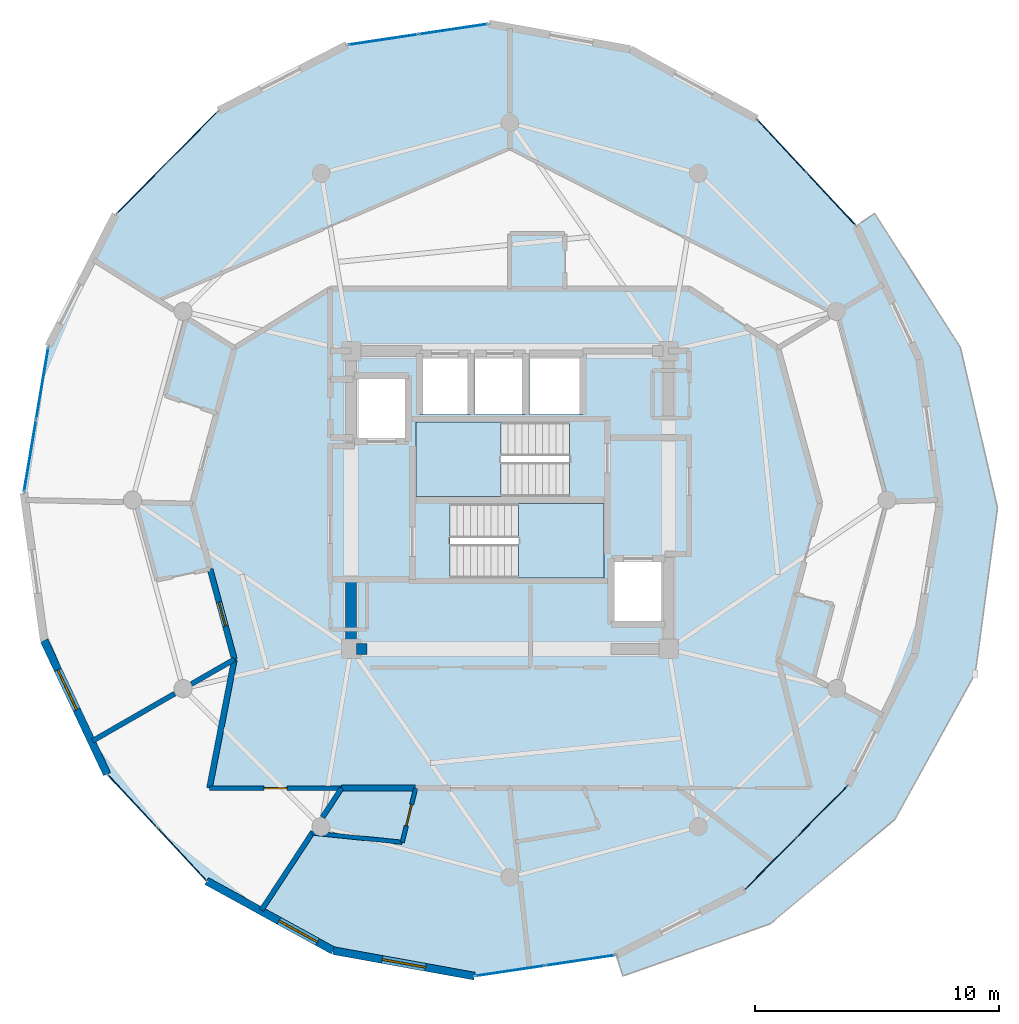
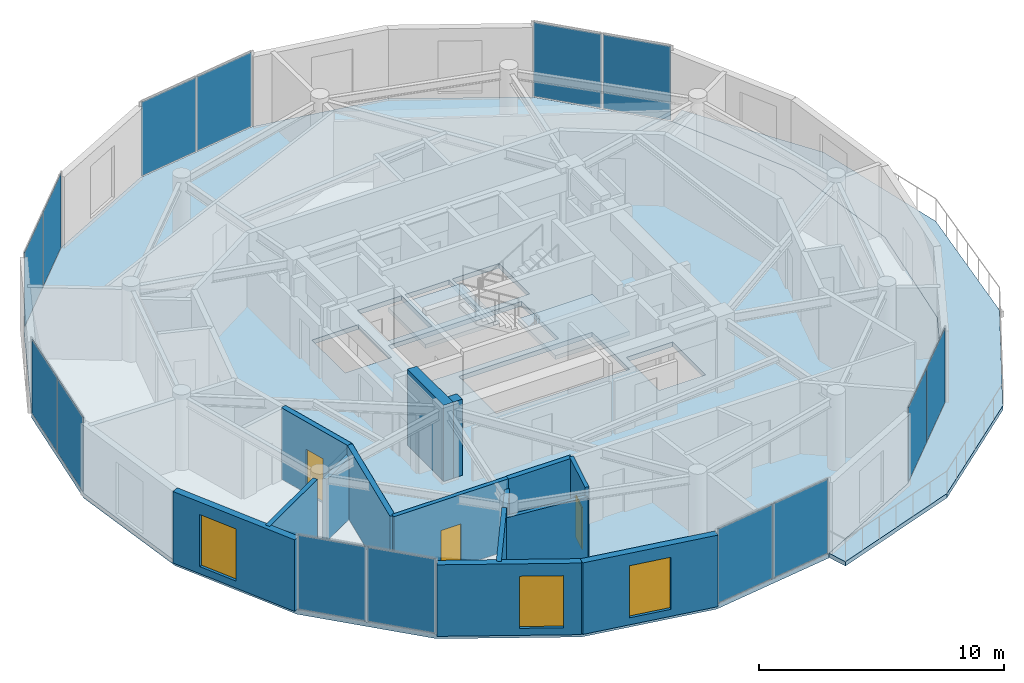
# One storey, part 17 of 23: 15 walls, 14 plates, 4 slabs, 3 doors, 3 windows, 6 openings, 9 elements without a shape of their own.
"""IFC4 building model written with IfcOpenShell, lengths in metres."""

from ifc_helpers import new_model, si_unit, direction, frame, frame_2d, origin, origin_2d, place, context, subcontext, project, spatial, polyline, rectangle, outline, extrude, source, transform, mapped, material, layer, layer_set, type_object, element, fill, aggregate, save


model = new_model("IFC4")

# Units and contexts
model_context = context("Model", 3, precision=1e-05, world=origin(), true_north=direction((0.0, 1.0)))
body_context = subcontext(model_context, "Body", "Model", "MODEL_VIEW")
ifc_project = project(units=[si_unit("LENGTHUNIT", "METRE"), si_unit("AREAUNIT", "SQUARE_METRE"), si_unit("VOLUMEUNIT", "CUBIC_METRE"), si_unit("PLANEANGLEUNIT", "RADIAN"), si_unit("MASSUNIT", "GRAM", prefix="KILO")], contexts=[model_context])

# Site, building, storey
site_placement = place(None, origin())
site = spatial("IfcSite", under=ifc_project, at=site_placement, CompositionType="ELEMENT")
building_placement = place(site_placement, origin())
building = spatial("IfcBuilding", under=site, at=building_placement, Name="Solvirekh Grand Hotel", CompositionType="ELEMENT")
storey_placement = place(building_placement, frame((0.0, 0.0, 282.0)))
storey = spatial("IfcBuildingStorey", under=building, at=storey_placement, Name="L73", CompositionType="ELEMENT", Elevation=282.0)

# Slab
ifc_material_1 = material(Name="Concrete C50/60", Category="concrete")
ifc_layer_1 = layer(ifc_material_1, 0.215087890625)
ifc_layer_set_1 = layer_set([ifc_layer_1], Name="Concrete C50/60")
slab_type_1 = type_object("IfcSlabType", Name="ExtCrescentBalc_215", PredefinedType="FLOOR", material=ifc_layer_set_1)
slab_1_placement = place(storey_placement, frame((0.0, 0.0, -0.215087890625)))
element("IfcSlab", 1, at=slab_1_placement, inside=storey, type_object=slab_type_1, Name="L73 sweeping crescent balcony slab", PredefinedType="FLOOR", context=body_context, shape_type="SweptSolid", body=[
    extrude(outline(polyline([(4.634033203125, -19.489013671875), (10.660888671875, -17.35595703125), (15.764892578125, -13.08203125), (19.056884765625, -7.112060546875), (19.969970703125, -0.323974609375), (18.450927734375, 6.2470703125), (14.93896484375, 11.73193359375), (14.193115234375, 11.22705078125), (16.77294921875, 5.7509765625), (17.597900390625, -0.2880859375), (16.587890625, -6.299072265625), (13.841064453125, -11.693115234375), (9.626953125, -15.943115234375), (4.35888671875, -18.632080078125), (4.634033203125, -19.489013671875)])), origin(), (0.0, 0.0, 1.0), 0.215087890625),
])

# Stair, slab
ifc_material_2 = material(Name="Concrete C40/50", Category="concrete")
stair_type = type_object("IfcStairType", Name="Stair_Core_1450", PredefinedType="HALF_TURN_STAIR", material=ifc_material_2)
stair_1_placement = place(storey_placement, origin())
stair_1 = element("IfcStair", 2, at=stair_1_placement, inside=storey, type_object=stair_type, Name="L73 Enclosed exit stair ST-1", PredefinedType="HALF_TURN_STAIR")
ifc_layer_2 = layer(ifc_material_2, 0.199951171875)
ifc_layer_set_2 = layer_set([ifc_layer_2], Name="Concrete C40/50")
slab_type_2 = type_object("IfcSlabType", Name="Landing_Stair_200", PredefinedType="LANDING", material=ifc_layer_set_2)
slab_2_placement = place(storey_placement, frame((0.0, 0.0, 1.699951171875)))
slab_2 = element("IfcSlab", 3, at=slab_2_placement, type_object=slab_type_2, Name="ST-1 landing 1", PredefinedType="LANDING", context=body_context, shape_type="SweptSolid", body=[
    extrude(outline(polyline([(0.35009765625, -3.199951171875), (3.85009765625, -3.199951171875), (3.85009765625, -0.14990234375), (0.35009765625, -0.14990234375), (0.35009765625, -3.199951171875)])), origin(), (0.0, 0.0, 1.0), 0.199951171875),
])
aggregate(stair_1, [slab_2])

stair_2_placement = place(storey_placement, origin())
stair_2 = element("IfcStair", 4, at=stair_2_placement, inside=storey, type_object=stair_type, Name="L73 Enclosed exit stair ST-2", PredefinedType="HALF_TURN_STAIR")
slab_3_placement = place(storey_placement, frame((0.0, 0.0, 1.699951171875)))
slab_3 = element("IfcSlab", 5, at=slab_3_placement, type_object=slab_type_2, Name="ST-2 landing 1", PredefinedType="LANDING", context=body_context, shape_type="SweptSolid", body=[
    extrude(outline(polyline([(-0.35009765625, 3.199951171875), (-3.85009765625, 3.199951171875), (-3.85009765625, 0.14990234375), (-0.35009765625, 0.14990234375), (-0.35009765625, 3.199951171875)])), origin(), (0.0, 0.0, 1.0), 0.199951171875),
])
aggregate(stair_2, [slab_3])

# Slab
ifc_layer_3 = layer(ifc_material_2, 0.22998046875)
ifc_layer_set_3 = layer_set([ifc_layer_3], Name="Concrete C40/50")
slab_type_3 = type_object("IfcSlabType", Name="Slab_GuestZ4_230", PredefinedType="FLOOR", material=ifc_layer_set_3)
slab_4_placement = place(storey_placement, frame((0.0, 0.0, -0.22998046875)))
element("IfcSlab", 6, at=slab_4_placement, inside=storey, type_object=slab_type_3, Name="L73 structural floor slab", PredefinedType="FLOOR", context=body_context, shape_type="SweptSolid", body=[
    extrude(outline(polyline([(-1.448974609375, -19.498046875), (4.35888671875, -18.632080078125), (9.626953125, -15.943115234375), (13.841064453125, -11.693115234375), (16.587890625, -6.299072265625), (17.597900390625, -0.2880859375), (16.77294921875, 5.7509765625), (14.193115234375, 11.22705078125), (10.112060546875, 15.60498046875), (4.927978515625, 18.4541015625), (-0.85107421875, 19.498046875), (-6.658935546875, 18.632080078125), (-11.927001953125, 15.943115234375), (-16.14111328125, 11.693115234375), (-18.887939453125, 6.299072265625), (-19.89794921875, 0.2880859375), (-19.072998046875, -5.7509765625), (-16.492919921875, -11.22705078125), (-12.412109375, -15.60498046875), (-7.22802734375, -18.4541015625), (-1.448974609375, -19.498046875)]), holes=[polyline([(-2.444091796875, -0.14990234375), (3.85009765625, -0.14990234375), (3.85009765625, -3.199951171875), (-2.444091796875, -3.199951171875), (-2.444091796875, -0.14990234375)]), polyline([(2.444091796875, 0.14990234375), (-3.85009765625, 0.14990234375), (-3.85009765625, 3.199951171875), (2.444091796875, 3.199951171875), (2.444091796875, 0.14990234375)]), polyline([(-3.699951171875, 6.0), (-1.60009765625, 6.0), (-1.60009765625, 3.5), (-3.699951171875, 3.5), (-3.699951171875, 6.0)]), polyline([(-1.449951171875, 6.0), (0.64990234375, 6.0), (0.64990234375, 3.5), (-1.449951171875, 3.5), (-1.449951171875, 6.0)]), polyline([(0.800048828125, 6.0), (3.0, 6.0), (3.0, 3.5), (0.800048828125, 3.5), (0.800048828125, 6.0)]), polyline([(-6.35009765625, 5.10009765625), (-4.14990234375, 5.10009765625), (-4.14990234375, 2.39990234375), (-6.35009765625, 2.39990234375), (-6.35009765625, 5.10009765625)]), polyline([(4.14990234375, -2.39990234375), (6.35009765625, -2.39990234375), (6.35009765625, -5.10009765625), (4.14990234375, -5.10009765625), (4.14990234375, -2.39990234375)])]), origin(), (0.0, 0.0, 1.0), 0.22998046875),
])

# Curtain wall, plates
ifc_material_3 = material(Name="Anodized Bronze Aluminium 6063-T6", Category="aluminium")
ifc_layer_4 = layer(ifc_material_3, 0.159912109375)
ifc_layer_set_4 = layer_set([ifc_layer_4], Name="Anodized Bronze Aluminium 6063-T6")
curtain_wall_type = type_object("IfcCurtainWallType", Name="CW_Sys4_HighZoneFlushBronzeCW", PredefinedType="NOTDEFINED", material=ifc_layer_set_4)
curtain_wall_1_placement = place(storey_placement, origin())
curtain_wall_1 = element("IfcCurtainWall", 7, at=curtain_wall_1_placement, inside=storey, type_object=curtain_wall_type, Name="L73 unitised bronze-glass curtain wall CW-L73-C03", PredefinedType="NOTDEFINED")
ifc_material_4 = material(Name="Low-E Tinted Bronze Laminated Glass", Category="aluminium")
ifc_layer_5 = layer(ifc_material_4, 0.033935546875)
ifc_layer_set_5 = layer_set([ifc_layer_5], Name="Low-E Tinted Bronze Laminated Glass")
plate_type = type_object("IfcPlateType", Name="CWPanel_High_34", PredefinedType="CURTAIN_PANEL", material=ifc_layer_set_5)
shared_shape_1 = source(origin(), body_context, "Body", "SweptSolid", [
    extrude(rectangle(XDim=2.902587890625, YDim=0.033935546875, at=origin_2d()), origin(), (0.0, 0.0, 1.0), 3.68994140625),
])
plate_1_placement = place(storey_placement, frame((10.691162109375, -14.869873046875, 0.054931640625), z_axis=(0.0, 0.0, 1.0), x_axis=(0.704092869456, 0.710107901084, 0.0)))
plate_1 = element("IfcPlate", 8, at=plate_1_placement, type_object=plate_type, Name="U04 panel 1.1", PredefinedType="CURTAIN_PANEL", context=body_context, shape_type="MappedRepresentation", body=[
    mapped(shared_shape_1, transform((0.0, 0.0, 0.0), x_axis=(1.0, 0.0, 0.0), y_axis=(0.0, 1.0, 0.0), z_axis=(0.0, 0.0, 1.0), scale=1.0)),
])
plate_2_placement = place(storey_placement, frame((12.77685546875, -12.76611328125, 0.054931640625), z_axis=(0.0, 0.0, 1.0), x_axis=(0.704092869456, 0.710107901084, 0.0)))
plate_2 = element("IfcPlate", 9, at=plate_2_placement, type_object=plate_type, Name="U04 panel 2.1", PredefinedType="CURTAIN_PANEL", context=body_context, shape_type="MappedRepresentation", body=[
    mapped(shared_shape_1, transform((0.0, 0.0, 0.0), x_axis=(1.0, 0.0, 0.0), y_axis=(0.0, 1.0, 0.0), z_axis=(0.0, 0.0, 1.0), scale=1.0)),
])
aggregate(curtain_wall_1, [plate_1, plate_2])

curtain_wall_2_placement = place(storey_placement, origin())
curtain_wall_2 = element("IfcCurtainWall", 10, at=curtain_wall_2_placement, inside=storey, type_object=curtain_wall_type, Name="L73 unitised bronze-glass curtain wall CW-L73-C08", PredefinedType="NOTDEFINED")
plate_3_placement = place(storey_placement, frame((13.16259765625, 12.33251953125, 0.054931640625), z_axis=(0.0, 0.0, 1.0), x_axis=(-0.681859733403, 0.731482948511, 0.0)))
plate_3 = element("IfcPlate", 11, at=plate_3_placement, type_object=plate_type, Name="U04 panel 1.1", PredefinedType="CURTAIN_PANEL", context=body_context, shape_type="MappedRepresentation", body=[
    mapped(shared_shape_1, transform((0.0, 0.0, 0.0), x_axis=(1.0, 0.0, 0.0), y_axis=(0.0, 1.0, 0.0), z_axis=(0.0, 0.0, 1.0), scale=1.0)),
])
plate_4_placement = place(storey_placement, frame((11.142578125, 14.49951171875, 0.054931640625), z_axis=(0.0, 0.0, 1.0), x_axis=(-0.681859733403, 0.731482948511, 0.0)))
plate_4 = element("IfcPlate", 12, at=plate_4_placement, type_object=plate_type, Name="U04 panel 2.1", PredefinedType="CURTAIN_PANEL", context=body_context, shape_type="MappedRepresentation", body=[
    mapped(shared_shape_1, transform((0.0, 0.0, 0.0), x_axis=(1.0, 0.0, 0.0), y_axis=(0.0, 1.0, 0.0), z_axis=(0.0, 0.0, 1.0), scale=1.0)),
])
aggregate(curtain_wall_2, [plate_3, plate_4])

curtain_wall_3_placement = place(storey_placement, origin())
curtain_wall_3 = element("IfcCurtainWall", 13, at=curtain_wall_3_placement, inside=storey, type_object=curtain_wall_type, Name="L73 unitised bronze-glass curtain wall CW-L73-C13", PredefinedType="NOTDEFINED")
plate_5_placement = place(storey_placement, frame((-12.990966796875, 14.869873046875, 0.054931640625), z_axis=(0.0, 0.0, 1.0), x_axis=(-0.704092869456, -0.710107901084, 0.0)))
plate_5 = element("IfcPlate", 14, at=plate_5_placement, type_object=plate_type, Name="U04 panel 1.1", PredefinedType="CURTAIN_PANEL", context=body_context, shape_type="MappedRepresentation", body=[
    mapped(shared_shape_1, transform((0.0, 0.0, 0.0), x_axis=(1.0, 0.0, 0.0), y_axis=(0.0, 1.0, 0.0), z_axis=(0.0, 0.0, 1.0), scale=1.0)),
])
plate_6_placement = place(storey_placement, frame((-15.076904296875, 12.76611328125, 0.054931640625), z_axis=(0.0, 0.0, 1.0), x_axis=(-0.704092869456, -0.710107901084, 0.0)))
plate_6 = element("IfcPlate", 15, at=plate_6_placement, type_object=plate_type, Name="U04 panel 2.1", PredefinedType="CURTAIN_PANEL", context=body_context, shape_type="MappedRepresentation", body=[
    mapped(shared_shape_1, transform((0.0, 0.0, 0.0), x_axis=(1.0, 0.0, 0.0), y_axis=(0.0, 1.0, 0.0), z_axis=(0.0, 0.0, 1.0), scale=1.0)),
])
aggregate(curtain_wall_3, [plate_5, plate_6])

curtain_wall_4_placement = place(storey_placement, origin())
curtain_wall_4 = element("IfcCurtainWall", 16, at=curtain_wall_4_placement, inside=storey, type_object=curtain_wall_type, Name="L73 unitised bronze-glass curtain wall CW-L73-C18", PredefinedType="NOTDEFINED")
plate_7_placement = place(storey_placement, frame((-15.46240234375, -12.33251953125, 0.054931640625), z_axis=(0.0, 0.0, 1.0), x_axis=(0.681859733403, -0.731482948511, 0.0)))
plate_7 = element("IfcPlate", 17, at=plate_7_placement, type_object=plate_type, Name="U04 panel 1.1", PredefinedType="CURTAIN_PANEL", context=body_context, shape_type="MappedRepresentation", body=[
    mapped(shared_shape_1, transform((0.0, 0.0, 0.0), x_axis=(1.0, 0.0, 0.0), y_axis=(0.0, 1.0, 0.0), z_axis=(0.0, 0.0, 1.0), scale=1.0)),
])
plate_8_placement = place(storey_placement, frame((-13.4423828125, -14.49951171875, 0.054931640625), z_axis=(0.0, 0.0, 1.0), x_axis=(0.681859733403, -0.731482948511, 0.0)))
plate_8 = element("IfcPlate", 18, at=plate_8_placement, type_object=plate_type, Name="U04 panel 2.1", PredefinedType="CURTAIN_PANEL", context=body_context, shape_type="MappedRepresentation", body=[
    mapped(shared_shape_1, transform((0.0, 0.0, 0.0), x_axis=(1.0, 0.0, 0.0), y_axis=(0.0, 1.0, 0.0), z_axis=(0.0, 0.0, 1.0), scale=1.0)),
])
aggregate(curtain_wall_4, [plate_7, plate_8])

curtain_wall_5_placement = place(storey_placement, origin())
curtain_wall_5 = element("IfcCurtainWall", 19, at=curtain_wall_5_placement, inside=storey, type_object=curtain_wall_type, Name="L73 unitised bronze-glass curtain wall CW-L73-C01", PredefinedType="NOTDEFINED")
shared_shape_2 = source(origin(), body_context, "Body", "SweptSolid", [
    extrude(rectangle(XDim=2.84619140625, YDim=0.033935546875, at=origin_2d()), origin(), (0.0, 0.0, 1.0), 3.68994140625),
])
plate_9_placement = place(storey_placement, frame((0.017822265625, -19.279296875, 0.054931640625), z_axis=(0.0, 0.0, 1.0), x_axis=(0.989065879866, 0.147474354669, 0.0)))
plate_9 = element("IfcPlate", 20, at=plate_9_placement, type_object=plate_type, Name="U04 panel 1.1", PredefinedType="CURTAIN_PANEL", context=body_context, shape_type="MappedRepresentation", body=[
    mapped(shared_shape_2, transform((0.0, 0.0, 0.0), x_axis=(1.0, 0.0, 0.0), y_axis=(0.0, 1.0, 0.0), z_axis=(0.0, 0.0, 1.0), scale=1.0)),
])
plate_10_placement = place(storey_placement, frame((2.89208984375, -18.850830078125, 0.054931640625), z_axis=(0.0, 0.0, 1.0), x_axis=(0.989065879866, 0.147474354669, 0.0)))
plate_10 = element("IfcPlate", 21, at=plate_10_placement, type_object=plate_type, Name="U04 panel 2.1", PredefinedType="CURTAIN_PANEL", context=body_context, shape_type="MappedRepresentation", body=[
    mapped(shared_shape_2, transform((0.0, 0.0, 0.0), x_axis=(1.0, 0.0, 0.0), y_axis=(0.0, 1.0, 0.0), z_axis=(0.0, 0.0, 1.0), scale=1.0)),
])
aggregate(curtain_wall_5, [plate_9, plate_10])

curtain_wall_6_placement = place(storey_placement, origin())
curtain_wall_6 = element("IfcCurtainWall", 22, at=curtain_wall_6_placement, inside=storey, type_object=curtain_wall_type, Name="L73 unitised bronze-glass curtain wall CW-L73-C11", PredefinedType="NOTDEFINED")
plate_11_placement = place(storey_placement, frame((-2.31787109375, 19.279296875, 0.054931640625), z_axis=(0.0, 0.0, 1.0), x_axis=(-0.989065879866, -0.147474354669, 0.0)))
plate_11 = element("IfcPlate", 23, at=plate_11_placement, type_object=plate_type, Name="U04 panel 1.1", PredefinedType="CURTAIN_PANEL", context=body_context, shape_type="MappedRepresentation", body=[
    mapped(shared_shape_2, transform((0.0, 0.0, 0.0), x_axis=(1.0, 0.0, 0.0), y_axis=(0.0, 1.0, 0.0), z_axis=(0.0, 0.0, 1.0), scale=1.0)),
])
plate_12_placement = place(storey_placement, frame((-5.192138671875, 18.850830078125, 0.054931640625), z_axis=(0.0, 0.0, 1.0), x_axis=(-0.989065879866, -0.147474354669, 0.0)))
plate_12 = element("IfcPlate", 24, at=plate_12_placement, type_object=plate_type, Name="U04 panel 2.1", PredefinedType="CURTAIN_PANEL", context=body_context, shape_type="MappedRepresentation", body=[
    mapped(shared_shape_2, transform((0.0, 0.0, 0.0), x_axis=(1.0, 0.0, 0.0), y_axis=(0.0, 1.0, 0.0), z_axis=(0.0, 0.0, 1.0), scale=1.0)),
])
aggregate(curtain_wall_6, [plate_11, plate_12])

curtain_wall_7_placement = place(storey_placement, origin())
curtain_wall_7 = element("IfcCurtainWall", 25, at=curtain_wall_7_placement, inside=storey, type_object=curtain_wall_type, Name="L73 unitised bronze-glass curtain wall CW-L73-C15", PredefinedType="NOTDEFINED")
shared_shape_3 = source(origin(), body_context, "Body", "SweptSolid", [
    extrude(rectangle(XDim=2.95751953125, YDim=0.033935546875, at=origin_2d()), origin(), (0.0, 0.0, 1.0), 3.68994140625),
])
plate_13_placement = place(storey_placement, frame((-19.14306640625, 4.781494140625, 0.054931640625), z_axis=(0.0, 0.0, 1.0), x_axis=(-0.165702470338, -0.986175791289, 0.0)))
plate_13 = element("IfcPlate", 26, at=plate_13_placement, type_object=plate_type, Name="U04 panel 1.1", PredefinedType="CURTAIN_PANEL", context=body_context, shape_type="MappedRepresentation", body=[
    mapped(shared_shape_3, transform((0.0, 0.0, 0.0), x_axis=(1.0, 0.0, 0.0), y_axis=(0.0, 1.0, 0.0), z_axis=(0.0, 0.0, 1.0), scale=1.0)),
])
plate_14_placement = place(storey_placement, frame((-19.64306640625, 1.8056640625, 0.054931640625), z_axis=(0.0, 0.0, 1.0), x_axis=(-0.165702470338, -0.986175791289, 0.0)))
plate_14 = element("IfcPlate", 27, at=plate_14_placement, type_object=plate_type, Name="U04 panel 2.1", PredefinedType="CURTAIN_PANEL", context=body_context, shape_type="MappedRepresentation", body=[
    mapped(shared_shape_3, transform((0.0, 0.0, 0.0), x_axis=(1.0, 0.0, 0.0), y_axis=(0.0, 1.0, 0.0), z_axis=(0.0, 0.0, 1.0), scale=1.0)),
])
aggregate(curtain_wall_7, [plate_13, plate_14])

# Walls
ifc_layer_6 = layer(ifc_material_1, 0.449951171875)
ifc_layer_set_6 = layer_set([ifc_layer_6], Name="Concrete C50/60")
wall_type_1 = type_object("IfcWallType", Name="CoreWall_RC450", PredefinedType="SHEAR", material=ifc_layer_set_6)
wall_1_placement = place(storey_placement, frame((-6.27490234375, -6.10009765625, 0.0), z_axis=(0.0, 0.0, 1.0), x_axis=(1.0, 0.0, 0.0)))
element("IfcWall", 28, at=wall_1_placement, inside=storey, type_object=wall_type_1, Name="L73 core corner shear wall SW-S", PredefinedType="SHEAR", context=body_context, shape_type="SweptSolid", body=[
    extrude(rectangle(XDim=0.4248046875, YDim=0.449951171875, at=frame_2d((0.21240234375, 0.0))), origin(), (0.0, 0.0, 1.0), 3.800048828125),
])
wall_2_placement = place(storey_placement, frame((-6.5, -6.324951171875, 0.0), z_axis=(0.0, 0.0, 1.0), x_axis=(0.0, 1.0, 0.0)))
element("IfcWall", 29, at=wall_2_placement, inside=storey, type_object=wall_type_1, Name="L73 core corner shear wall WS-W", PredefinedType="SHEAR", context=body_context, shape_type="SweptSolid", body=[
    extrude(rectangle(XDim=2.974853515625, YDim=0.449951171875, at=frame_2d((1.4873046875, 0.0))), origin(), (0.0, 0.0, 1.0), 3.800048828125),
])

# Wall, opening, window
ifc_material_5 = material(Name="Precast concrete C45/55", Category="concrete")
ifc_layer_7 = layer(ifc_material_5, 0.320068359375)
ifc_layer_set_7 = layer_set([ifc_layer_7], Name="Precast concrete C45/55")
wall_type_2 = type_object("IfcWallType", Name="ExtLobbyWall_RC320", PredefinedType="SOLIDWALL", material=ifc_layer_set_7)
wall_3_placement = place(storey_placement, frame((-16.492919921875, -11.22705078125, 0.0), z_axis=(0.0, 0.0, 1.0), x_axis=(-0.4262165229, 0.904621177956, 0.0)))
wall_3 = element("IfcWall", 30, at=wall_3_placement, inside=storey, type_object=wall_type_2, Name="L73 exterior structural wall chord 17", PredefinedType="SOLIDWALL", context=body_context, shape_type="SweptSolid", body=[
    extrude(rectangle(XDim=6.053466796875, YDim=0.320068359375, at=frame_2d((3.02685546875, 0.0))), origin(), (0.0, 0.0, 1.0), 3.570068359375),
])
opening_1_placement = place(wall_3_placement, frame((2.9189453125, 0.0, 0.35009765625)))
opening_1 = element("IfcOpeningElement", 31, at=opening_1_placement, cuts=wall_3, Name="Opening W02", PredefinedType="OPENING", context=body_context, shape_type="SweptSolid", body=[
    extrude(rectangle(XDim=1.800048828125, YDim=2.60009765625, at=frame_2d((0.89990234375, 1.300048828125))), frame((0.0, 0.169921875, 0.0), z_axis=(0.0, -1.0, 0.0), x_axis=(1.0, 0.0, 0.0)), (0.0, 0.0, 1.0), 0.340087890625),
])
window_type = type_object("IfcWindowType", Name="Win_LobbyExt_1800X2600", PartitioningType="SINGLE_PANEL", PredefinedType="WINDOW", material=ifc_material_4)
window_1_placement = place(opening_1_placement, origin())
window_1 = element("IfcWindow", 32, at=window_1_placement, inside=storey, type_object=window_type, Name="L73 panoramic bronze-framed window 17", OverallHeight=2.60009765625, OverallWidth=1.800048828125, PartitioningType="SINGLE_PANEL", PredefinedType="WINDOW", context=body_context, shape_type="SweptSolid", body=[
    extrude(rectangle(XDim=1.800048828125, YDim=2.60009765625, at=frame_2d((0.89990234375, 1.300048828125))), frame((0.0, 0.030029296875, 0.0), z_axis=(0.0, -1.0, 0.0), x_axis=(1.0, 0.0, 0.0)), (0.0, 0.0, 1.0), 0.06005859375),
])
fill(opening_1, window_1)

wall_4_placement = place(storey_placement, frame((-7.22802734375, -18.4541015625, 0.0), z_axis=(0.0, 0.0, 1.0), x_axis=(-0.876367486065, 0.481643051822, 0.0)))
wall_4 = element("IfcWall", 33, at=wall_4_placement, inside=storey, type_object=wall_type_2, Name="L73 exterior structural wall chord 19", PredefinedType="SOLIDWALL", context=body_context, shape_type="SweptSolid", body=[
    extrude(rectangle(XDim=5.91552734375, YDim=0.320068359375, at=frame_2d((2.957763671875, 0.0))), origin(), (0.0, 0.0, 1.0), 3.570068359375),
])
opening_2_placement = place(wall_4_placement, frame((0.739013671875, 0.0, 0.35009765625)))
opening_2 = element("IfcOpeningElement", 34, at=opening_2_placement, cuts=wall_4, Name="Opening W02", PredefinedType="OPENING", context=body_context, shape_type="SweptSolid", body=[
    extrude(rectangle(XDim=1.800048828125, YDim=2.60009765625, at=frame_2d((0.89990234375, 1.300048828125))), frame((0.0, 0.169921875, 0.0), z_axis=(0.0, -1.0, 0.0), x_axis=(1.0, 0.0, 0.0)), (0.0, 0.0, 1.0), 0.340087890625),
])
window_2_placement = place(opening_2_placement, origin())
window_2 = element("IfcWindow", 35, at=window_2_placement, inside=storey, type_object=window_type, Name="L73 panoramic bronze-framed window 19", OverallHeight=2.60009765625, OverallWidth=1.800048828125, PartitioningType="SINGLE_PANEL", PredefinedType="WINDOW", context=body_context, shape_type="SweptSolid", body=[
    extrude(rectangle(XDim=1.800048828125, YDim=2.60009765625, at=frame_2d((0.89990234375, 1.300048828125))), frame((0.0, 0.030029296875, 0.0), z_axis=(0.0, -1.0, 0.0), x_axis=(1.0, 0.0, 0.0)), (0.0, 0.0, 1.0), 0.06005859375),
])
fill(opening_2, window_2)

wall_5_placement = place(storey_placement, frame((-1.448974609375, -19.498046875, 0.0), z_axis=(0.0, 0.0, 1.0), x_axis=(-0.984072814276, 0.177765846557, 0.0)))
wall_5 = element("IfcWall", 36, at=wall_5_placement, inside=storey, type_object=wall_type_2, Name="L73 exterior structural wall chord 20", PredefinedType="SOLIDWALL", context=body_context, shape_type="SweptSolid", body=[
    extrude(rectangle(XDim=5.87255859375, YDim=0.320068359375, at=frame_2d((2.936279296875, 0.0))), origin(), (0.0, 0.0, 1.0), 3.570068359375),
])
opening_3_placement = place(wall_5_placement, frame((2.035888671875, 0.0, 0.35009765625)))
opening_3 = element("IfcOpeningElement", 37, at=opening_3_placement, cuts=wall_5, Name="Opening W02", PredefinedType="OPENING", context=body_context, shape_type="SweptSolid", body=[
    extrude(rectangle(XDim=1.800048828125, YDim=2.60009765625, at=frame_2d((0.89990234375, 1.300048828125))), frame((0.0, 0.169921875, 0.0), z_axis=(0.0, -1.0, 0.0), x_axis=(1.0, 0.0, 0.0)), (0.0, 0.0, 1.0), 0.340087890625),
])
window_3_placement = place(opening_3_placement, origin())
window_3 = element("IfcWindow", 38, at=window_3_placement, inside=storey, type_object=window_type, Name="L73 panoramic bronze-framed window 20", OverallHeight=2.60009765625, OverallWidth=1.800048828125, PartitioningType="SINGLE_PANEL", PredefinedType="WINDOW", context=body_context, shape_type="SweptSolid", body=[
    extrude(rectangle(XDim=1.800048828125, YDim=2.60009765625, at=frame_2d((0.89990234375, 1.300048828125))), frame((0.0, 0.030029296875, 0.0), z_axis=(0.0, -1.0, 0.0), x_axis=(1.0, 0.0, 0.0)), (0.0, 0.0, 1.0), 0.06005859375),
])
fill(opening_3, window_3)

# Wall, opening, door
ifc_material_6 = material(Name="Acoustic Gypsum Partition Assembly")
ifc_layer_8 = layer(ifc_material_6, 0.239990234375)
ifc_layer_set_8 = layer_set([ifc_layer_8], Name="Acoustic Gypsum Partition Assembly")
wall_type_3 = type_object("IfcWallType", Name="Part_Corridor_240", PredefinedType="PARTITIONING", material=ifc_layer_set_8)
wall_6_placement = place(storey_placement, frame((-12.277099609375, -2.826904296875, 0.0), z_axis=(0.0, 0.0, 1.0), x_axis=(0.260803073576, -0.965392022348, 0.0)))
wall_6 = element("IfcWall", 39, at=wall_6_placement, inside=storey, type_object=wall_type_3, Name="L73 Deluxe Guestroom 7503 entrance wall", PredefinedType="PARTITIONING", context=body_context, shape_type="SweptSolid", body=[
    extrude(rectangle(XDim=3.83056640625, YDim=0.239990234375, at=frame_2d((1.915283203125, 0.0))), origin(), (0.0, 0.0, 1.0), 3.570068359375),
])
opening_4_placement = place(wall_6_placement, frame((1.4150390625, 0.0, 0.0)))
opening_4 = element("IfcOpeningElement", 40, at=opening_4_placement, cuts=wall_6, Name="Opening D07", PredefinedType="OPENING", context=body_context, shape_type="SweptSolid", body=[
    extrude(rectangle(XDim=1.0, YDim=2.199951171875, at=frame_2d((0.5, 1.10009765625))), frame((0.0, 0.1298828125, 0.0), z_axis=(0.0, -1.0, 0.0), x_axis=(1.0, 0.0, 0.0)), (0.0, 0.0, 1.0), 0.260009765625),
])
ifc_material_7 = material(Name="Fire-Rated Steel Door Assembly", Category="steel")
door_type_1 = type_object("IfcDoorType", Name="Door_GuestEntry_1000X2200", OperationType="NOTDEFINED", PredefinedType="DOOR", material=ifc_material_7)
door_1_placement = place(opening_4_placement, origin())
door_1 = element("IfcDoor", 41, at=door_1_placement, inside=storey, type_object=door_type_1, Name="L73 Deluxe Guestroom 7503 entrance door", OperationType="SINGLE_SWING_RIGHT", OverallHeight=2.199951171875, OverallWidth=1.0, PredefinedType="DOOR", context=body_context, shape_type="SweptSolid", body=[
    extrude(rectangle(XDim=1.0, YDim=2.199951171875, at=frame_2d((0.5, 1.10009765625))), frame((0.0, 0.02490234375, 0.0), z_axis=(0.0, -1.0, 0.0), x_axis=(1.0, 0.0, 0.0)), (0.0, 0.0, 1.0), 0.050048828125),
])
fill(opening_4, door_1)

# Walls
wall_7_placement = place(storey_placement, frame((-11.278076171875, -6.52490234375, 0.0), z_axis=(0.0, 0.0, 1.0), x_axis=(-0.190197086903, -0.981745928504, 0.0)))
element("IfcWall", 42, at=wall_7_placement, inside=storey, type_object=wall_type_3, Name="L73 L73 Kremlin View Lounge corridor wall 1", PredefinedType="PARTITIONING", context=body_context, shape_type="SweptSolid", body=[
    extrude(rectangle(XDim=5.373291015625, YDim=0.239990234375, at=frame_2d((2.6865234375, 0.0))), origin(), (0.0, 0.0, 1.0), 3.570068359375),
])
wall_8_placement = place(storey_placement, frame((-6.887939453125, -11.800048828125, 0.0), z_axis=(0.0, 0.0, 1.0), x_axis=(1.0, 0.0, 0.0)))
element("IfcWall", 43, at=wall_8_placement, inside=storey, type_object=wall_type_3, Name="L73 En-suite Bathroom 7505 corridor backing wall", PredefinedType="PARTITIONING", context=body_context, shape_type="SweptSolid", body=[
    extrude(rectangle(XDim=3.031005859375, YDim=0.239990234375, at=frame_2d((1.515625, 0.0))), origin(), (0.0, 0.0, 1.0), 3.570068359375),
])

# Wall, opening, door
ifc_layer_9 = layer(ifc_material_6, 0.18994140625)
ifc_layer_set_9 = layer_set([ifc_layer_9], Name="Acoustic Gypsum Partition Assembly")
wall_type_4 = type_object("IfcWallType", Name="Part_GuestDemise_190", PredefinedType="PARTITIONING", material=ifc_layer_set_9)
wall_9_placement = place(storey_placement, frame((-12.300048828125, -11.800048828125, 0.0), z_axis=(0.0, 0.0, 1.0), x_axis=(1.0, 0.0, 0.0)))
wall_9 = element("IfcWall", 44, at=wall_9_placement, inside=storey, type_object=wall_type_4, Name="L73 L73 Kremlin View Lounge entrance wall", PredefinedType="PARTITIONING", context=body_context, shape_type="SweptSolid", body=[
    extrude(rectangle(XDim=5.412109375, YDim=0.18994140625, at=frame_2d((2.7060546875, 0.0))), origin(), (0.0, 0.0, 1.0), 3.570068359375),
])
opening_5_placement = place(wall_9_placement, frame((2.23095703125, 0.0, 0.0)))
opening_5 = element("IfcOpeningElement", 45, at=opening_5_placement, cuts=wall_9, Name="Opening D10", PredefinedType="OPENING", context=body_context, shape_type="SweptSolid", body=[
    extrude(rectangle(XDim=0.949951171875, YDim=2.10009765625, at=frame_2d((0.47509765625, 1.050048828125))), frame((0.0, 0.10498046875, 0.0), z_axis=(0.0, -1.0, 0.0), x_axis=(1.0, 0.0, 0.0)), (0.0, 0.0, 1.0), 0.2099609375),
])
door_type_2 = type_object("IfcDoorType", Name="Door_RoomInt_950X2100", OperationType="NOTDEFINED", PredefinedType="DOOR", material=ifc_material_3)
door_2_placement = place(opening_5_placement, origin())
door_2 = element("IfcDoor", 46, at=door_2_placement, inside=storey, type_object=door_type_2, Name="L73 L73 Kremlin View Lounge entrance door", OperationType="SINGLE_SWING_LEFT", OverallHeight=2.10009765625, OverallWidth=0.949951171875, PredefinedType="DOOR", context=body_context, shape_type="SweptSolid", body=[
    extrude(rectangle(XDim=0.949951171875, YDim=2.10009765625, at=frame_2d((0.47509765625, 1.050048828125))), frame((0.0, 0.02490234375, 0.0), z_axis=(0.0, -1.0, 0.0), x_axis=(1.0, 0.0, 0.0)), (0.0, 0.0, 1.0), 0.050048828125),
])
fill(opening_5, door_2)

# Walls
ifc_layer_10 = layer(ifc_material_6, 0.2099609375)
ifc_layer_set_10 = layer_set([ifc_layer_10], Name="Acoustic Gypsum Partition Assembly")
wall_type_5 = type_object("IfcWallType", Name="Part_SuiteDemise_210", PredefinedType="PARTITIONING", material=ifc_layer_set_10)
wall_10_placement = place(storey_placement, frame((-11.278076171875, -6.52490234375, 0.0), z_axis=(0.0, 0.0, 1.0), x_axis=(-0.866822958738, -0.498616042867, 0.0)))
element("IfcWall", 47, at=wall_10_placement, inside=storey, type_object=wall_type_5, Name="L73 suite radial wall 8 (A)", PredefinedType="PARTITIONING", context=body_context, shape_type="SweptSolid", body=[
    extrude(rectangle(XDim=2.025634765625, YDim=0.2099609375, at=frame_2d((1.0126953125, 0.0))), origin(), (0.0, 0.0, 1.0), 3.0849609375),
])
wall_11_placement = place(storey_placement, frame((-13.718994140625, -7.927978515625, 0.0), z_axis=(0.0, 0.0, 1.0), x_axis=(-0.866841187991, -0.49858435074, 0.0)))
element("IfcWall", 48, at=wall_11_placement, inside=storey, type_object=wall_type_5, Name="L73 suite radial wall 8 (B)", PredefinedType="PARTITIONING", context=body_context, shape_type="SweptSolid", body=[
    extrude(rectangle(XDim=3.888916015625, YDim=0.2099609375, at=frame_2d((1.9443359375, 0.0))), origin(), (0.0, 0.0, 1.0), 3.570068359375),
])
wall_12_placement = place(storey_placement, frame((-6.887939453125, -11.800048828125, 0.0), z_axis=(0.0, 0.0, 1.0), x_axis=(-0.549023768368, -0.835806737091, 0.0)))
element("IfcWall", 49, at=wall_12_placement, inside=storey, type_object=wall_type_5, Name="L73 L73 Kremlin View Lounge dividing partition 1 (A)", PredefinedType="PARTITIONING", context=body_context, shape_type="SweptSolid", body=[
    extrude(rectangle(XDim=1.422607421875, YDim=0.2099609375, at=frame_2d((0.71142578125, 0.0))), origin(), (0.0, 0.0, 1.0), 3.0849609375),
])
wall_13_placement = place(storey_placement, frame((-8.06201171875, -13.5859375, 0.0), z_axis=(0.0, 0.0, 1.0), x_axis=(-0.549195664532, -0.835693796829, 0.0)))
element("IfcWall", 50, at=wall_13_placement, inside=storey, type_object=wall_type_5, Name="L73 L73 Kremlin View Lounge dividing partition 1 (B)", PredefinedType="PARTITIONING", context=body_context, shape_type="SweptSolid", body=[
    extrude(rectangle(XDim=3.83642578125, YDim=0.2099609375, at=frame_2d((1.918212890625, 0.0))), origin(), (0.0, 0.0, 1.0), 3.570068359375),
])
ifc_layer_11 = layer(ifc_material_6, 0.175048828125)
ifc_layer_set_11 = layer_set([ifc_layer_11], Name="Acoustic Gypsum Partition Assembly")
wall_type_6 = type_object("IfcWallType", Name="Plumb_Ensuite_175", PredefinedType="PLUMBINGWALL", material=ifc_layer_set_11)
wall_14_placement = place(storey_placement, frame((-8.095947265625, -13.637939453125, 0.0), z_axis=(0.0, 0.0, 1.0), x_axis=(0.994794612907, -0.101900334307, 0.0)))
element("IfcWall", 51, at=wall_14_placement, inside=storey, type_object=wall_type_6, Name="L73 En-suite Bathroom 7505 outer plumbing wall", PredefinedType="PLUMBINGWALL", context=body_context, shape_type="SweptSolid", body=[
    extrude(rectangle(XDim=3.711181640625, YDim=0.175048828125, at=frame_2d((1.85546875, 0.0))), origin(), (0.0, 0.0, 1.0), 3.136962890625),
])

# Wall, opening, door
wall_15_placement = place(storey_placement, frame((-3.85693359375, -11.800048828125, 0.0), z_axis=(0.0, 0.0, 1.0), x_axis=(-0.239690783403, -0.970849281996, 0.0)))
wall_15 = element("IfcWall", 52, at=wall_15_placement, inside=storey, type_object=wall_type_6, Name="L73 En-suite Bathroom 7505 entry plumbing wall", PredefinedType="PLUMBINGWALL", context=body_context, shape_type="SweptSolid", body=[
    extrude(rectangle(XDim=2.28271484375, YDim=0.175048828125, at=frame_2d((1.141357421875, 0.0))), origin(), (0.0, 0.0, 1.0), 3.570068359375),
])
opening_6_placement = place(wall_15_placement, frame((0.69091796875, 0.0, 0.0)))
opening_6 = element("IfcOpeningElement", 53, at=opening_6_placement, cuts=wall_15, Name="Opening D09", PredefinedType="OPENING", context=body_context, shape_type="SweptSolid", body=[
    extrude(rectangle(XDim=0.89990234375, YDim=2.10009765625, at=frame_2d((0.449951171875, 1.050048828125))), frame((0.0, 0.09765625, 0.0), z_axis=(0.0, -1.0, 0.0), x_axis=(1.0, 0.0, 0.0)), (0.0, 0.0, 1.0), 0.195068359375),
])
door_type_3 = type_object("IfcDoorType", Name="Door_Ensuite_900X2100", OperationType="NOTDEFINED", PredefinedType="DOOR", material=ifc_material_3)
door_3_placement = place(opening_6_placement, origin())
door_3 = element("IfcDoor", 54, at=door_3_placement, inside=storey, type_object=door_type_3, Name="L73 En-suite Bathroom 7505 door", OperationType="SINGLE_SWING_RIGHT", OverallHeight=2.10009765625, OverallWidth=0.89990234375, PredefinedType="DOOR", context=body_context, shape_type="SweptSolid", body=[
    extrude(rectangle(XDim=0.89990234375, YDim=2.10009765625, at=frame_2d((0.449951171875, 1.050048828125))), frame((0.0, 0.02490234375, 0.0), z_axis=(0.0, -1.0, 0.0), x_axis=(1.0, 0.0, 0.0)), (0.0, 0.0, 1.0), 0.050048828125),
])
fill(opening_6, door_3)

save(model, "model.ifc")
